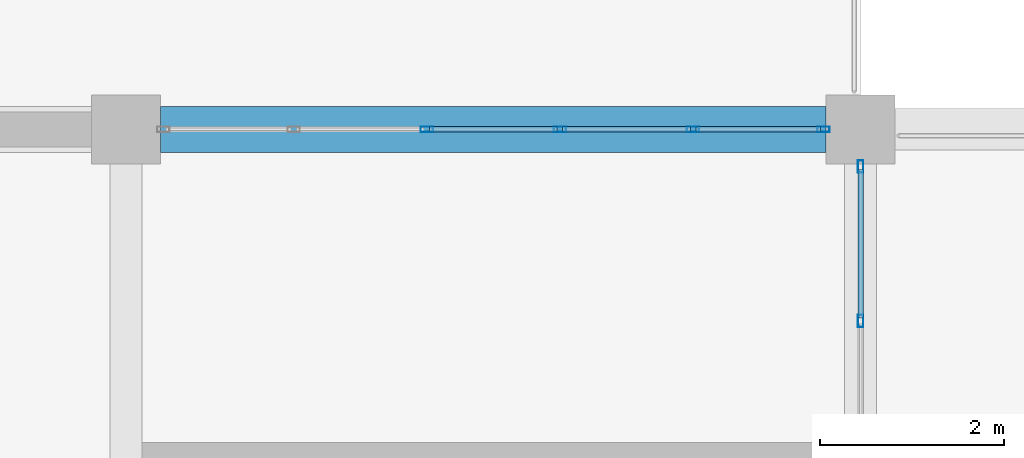
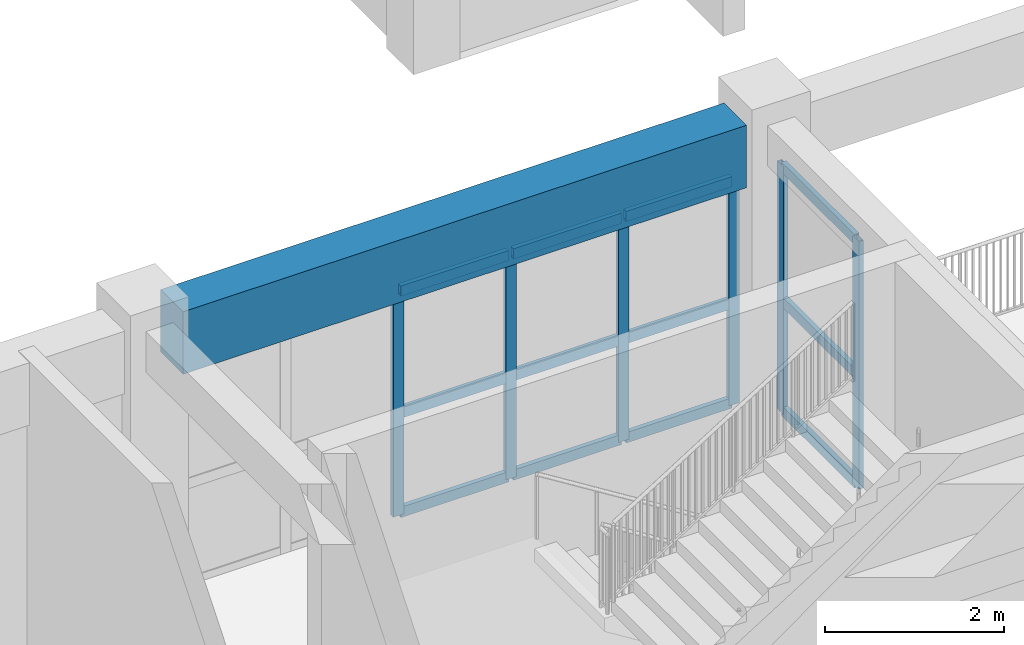
# One storey, part 29 of 63: 18 members, 1 beam, 2 elements without a shape of their own.
"""IFC4 building model written with IfcOpenShell, lengths in metres."""

from ifc_helpers import new_model, si_unit, direction, frame, origin, origin_2d, place, context, subcontext, project, spatial, rectangle, hollow_rectangle, extrude, material, material_profile, profile_set, type_object, element, aggregate, save


model = new_model("IFC4")

# Units and contexts
model_context = context("Model", 3, precision=1e-05, world=origin(), true_north=direction((0.0, 1.0)))
body_context = subcontext(model_context, "Body", "Model", "MODEL_VIEW")
ifc_project = project(units=[si_unit("LENGTHUNIT", "METRE"), si_unit("AREAUNIT", "SQUARE_METRE"), si_unit("VOLUMEUNIT", "CUBIC_METRE"), si_unit("PLANEANGLEUNIT", "RADIAN"), si_unit("MASSUNIT", "GRAM", prefix="KILO")], contexts=[model_context])

# Site, building, storey
site_placement = place(None, origin())
site = spatial("IfcSite", under=ifc_project, at=site_placement, CompositionType="ELEMENT")
building_placement = place(site_placement, origin())
building = spatial("IfcBuilding", under=site, at=building_placement, Name="Zantavel Square City Hall", CompositionType="ELEMENT")
storey_placement = place(building_placement, frame((0.0, 0.0, 14.699951171875)))
storey = spatial("IfcBuildingStorey", under=building, at=storey_placement, Name="L04", CompositionType="ELEMENT", Elevation=14.699951171875)

# Curtain wall, members
ifc_material_1 = material(Name="Anodised aluminium 6063-T6", Category="aluminium")
curtain_wall_type_1 = type_object("IfcCurtainWallType", Name="Curtain Wall TRV1 7250x3070", PredefinedType="USERDEFINED", material=ifc_material_1)
curtain_wall_1_placement = place(storey_placement, origin())
curtain_wall_1 = element("IfcCurtainWall", 1, at=curtain_wall_1_placement, inside=storey, type_object=curtain_wall_type_1, Name="L04 Glazed Curtain Wall CW-L04-110", ObjectType="GLAZED CURTAIN WALL", PredefinedType="USERDEFINED")
ifc_material_profile_1 = material_profile(ifc_material_1, hollow_rectangle(XDim=0.06005859375, YDim=0.135009765625, WallThickness=0.00390625, at=origin_2d()), Name="ALU 60x135x4")
ifc_profile_set_1 = profile_set([ifc_material_profile_1], Name="Anodised aluminium 6063-T6")
member_type_1 = type_object("IfcMemberType", Name="CW Mullion ALU 60x135x4", PredefinedType="MULLION", material=ifc_profile_set_1)
member_1_placement = place(storey_placement, frame((99.27490234375, 68.39990234375, 0.0), z_axis=(0.0, 0.0, 1.0), x_axis=(0.0, 1.0, 0.0)))
member_1 = element("IfcMember", 2, at=member_1_placement, type_object=member_type_1, Name="CW-110 mullion 3", PredefinedType="MULLION", context=body_context, shape_type="SweptSolid", body=[
    extrude(hollow_rectangle(XDim=0.06005859375, YDim=0.135009765625, WallThickness=0.00390625, at=origin_2d()), origin(), (0.0, 0.0, 1.0), 3.070068359375),
])
member_2_placement = place(storey_placement, frame((100.72509765625, 68.39990234375, 0.0), z_axis=(0.0, 0.0, 1.0), x_axis=(0.0, 1.0, 0.0)))
member_2 = element("IfcMember", 3, at=member_2_placement, type_object=member_type_1, Name="CW-110 mullion 4", PredefinedType="MULLION", context=body_context, shape_type="SweptSolid", body=[
    extrude(hollow_rectangle(XDim=0.06005859375, YDim=0.135009765625, WallThickness=0.00390625, at=origin_2d()), origin(), (0.0, 0.0, 1.0), 3.070068359375),
])
member_3_placement = place(storey_placement, frame((102.175048828125, 68.39990234375, 0.0), z_axis=(0.0, 0.0, 1.0), x_axis=(0.0, 1.0, 0.0)))
member_3 = element("IfcMember", 4, at=member_3_placement, type_object=member_type_1, Name="CW-110 mullion 5", PredefinedType="MULLION", context=body_context, shape_type="SweptSolid", body=[
    extrude(hollow_rectangle(XDim=0.06005859375, YDim=0.135009765625, WallThickness=0.00390625, at=origin_2d()), origin(), (0.0, 0.0, 1.0), 3.070068359375),
])
member_4_placement = place(storey_placement, frame((103.594970703125, 68.39990234375, 0.0), z_axis=(0.0, 0.0, 1.0), x_axis=(0.0, 1.0, 0.0)))
member_4 = element("IfcMember", 5, at=member_4_placement, type_object=member_type_1, Name="CW-110 mullion 6", PredefinedType="MULLION", context=body_context, shape_type="SweptSolid", body=[
    extrude(hollow_rectangle(XDim=0.06005859375, YDim=0.135009765625, WallThickness=0.00390625, at=origin_2d()), origin(), (0.0, 0.0, 1.0), 3.070068359375),
])

curtain_wall_type_2 = type_object("IfcCurtainWallType", Name="Curtain Wall TRV1 6850x3370", PredefinedType="USERDEFINED", material=ifc_material_1)
curtain_wall_2_placement = place(storey_placement, origin())
curtain_wall_2 = element("IfcCurtainWall", 6, at=curtain_wall_2_placement, inside=storey, type_object=curtain_wall_type_2, Name="L04 Glazed Curtain Wall CW-L04-111", ObjectType="GLAZED CURTAIN WALL", PredefinedType="USERDEFINED")
member_5_placement = place(storey_placement, frame((104.0, 67.9951171875, 0.0), z_axis=(0.0, 0.0, 1.0), x_axis=(1.0, 0.0, 0.0)))
member_5 = element("IfcMember", 7, at=member_5_placement, type_object=member_type_1, Name="CW-111 mullion 1", PredefinedType="MULLION", context=body_context, shape_type="SweptSolid", body=[
    extrude(hollow_rectangle(XDim=0.06005859375, YDim=0.135009765625, WallThickness=0.00390625, at=origin_2d()), origin(), (0.0, 0.0, 1.0), 3.3701171875),
])
member_6_placement = place(storey_placement, frame((104.0, 66.3125, 0.0), z_axis=(0.0, 0.0, 1.0), x_axis=(1.0, 0.0, 0.0)))
member_6 = element("IfcMember", 8, at=member_6_placement, type_object=member_type_1, Name="CW-111 mullion 2", PredefinedType="MULLION", context=body_context, shape_type="SweptSolid", body=[
    extrude(hollow_rectangle(XDim=0.06005859375, YDim=0.135009765625, WallThickness=0.00390625, at=origin_2d()), origin(), (0.0, 0.0, 1.0), 3.3701171875),
])

# Member
ifc_material_profile_2 = material_profile(ifc_material_1, hollow_rectangle(XDim=0.06005859375, YDim=0.139892578125, WallThickness=0.00390625, at=origin_2d()), Name="ALU 60x140x4")
ifc_profile_set_2 = profile_set([ifc_material_profile_2], Name="Anodised aluminium 6063-T6")
member_type_2 = type_object("IfcMemberType", Name="CW Transom ALU 60x140x4", PredefinedType="USERDEFINED", material=ifc_profile_set_2)
member_7_placement = place(storey_placement, frame((99.304931640625, 68.39990234375, 0.030029296875), z_axis=(1.0, 0.0, 0.0), x_axis=(0.0, 1.0, 0.0)))
member_7 = element("IfcMember", 9, at=member_7_placement, type_object=member_type_2, Name="CW-110 transom 3.1", ObjectType="TRANSOM", PredefinedType="USERDEFINED", context=body_context, shape_type="SweptSolid", body=[
    extrude(hollow_rectangle(XDim=0.06005859375, YDim=0.139892578125, WallThickness=0.00390625, at=origin_2d()), origin(), (0.0, 0.0, 1.0), 1.39013671875),
])

member_8_placement = place(storey_placement, frame((99.304931640625, 68.39990234375, 1.381103515625), z_axis=(1.0, 0.0, 0.0), x_axis=(0.0, 1.0, 0.0)))
member_8 = element("IfcMember", 10, at=member_8_placement, type_object=member_type_2, Name="CW-110 transom 3.2", ObjectType="TRANSOM", PredefinedType="USERDEFINED", context=body_context, shape_type="SweptSolid", body=[
    extrude(hollow_rectangle(XDim=0.06005859375, YDim=0.139892578125, WallThickness=0.00390625, at=origin_2d()), origin(), (0.0, 0.0, 1.0), 1.39013671875),
])

member_9_placement = place(storey_placement, frame((99.304931640625, 68.39990234375, 3.0400390625), z_axis=(1.0, 0.0, 0.0), x_axis=(0.0, 1.0, 0.0)))
member_9 = element("IfcMember", 11, at=member_9_placement, type_object=member_type_2, Name="CW-110 transom 3.3", ObjectType="TRANSOM", PredefinedType="USERDEFINED", context=body_context, shape_type="SweptSolid", body=[
    extrude(hollow_rectangle(XDim=0.06005859375, YDim=0.139892578125, WallThickness=0.00390625, at=origin_2d()), origin(), (0.0, 0.0, 1.0), 1.39013671875),
])

member_10_placement = place(storey_placement, frame((100.7548828125, 68.39990234375, 0.030029296875), z_axis=(1.0, 0.0, 0.0), x_axis=(0.0, 1.0, 0.0)))
member_10 = element("IfcMember", 12, at=member_10_placement, type_object=member_type_2, Name="CW-110 transom 4.1", ObjectType="TRANSOM", PredefinedType="USERDEFINED", context=body_context, shape_type="SweptSolid", body=[
    extrude(hollow_rectangle(XDim=0.06005859375, YDim=0.139892578125, WallThickness=0.00390625, at=origin_2d()), origin(), (0.0, 0.0, 1.0), 1.39013671875),
])

member_11_placement = place(storey_placement, frame((100.7548828125, 68.39990234375, 1.381103515625), z_axis=(1.0, 0.0, 0.0), x_axis=(0.0, 1.0, 0.0)))
member_11 = element("IfcMember", 13, at=member_11_placement, type_object=member_type_2, Name="CW-110 transom 4.2", ObjectType="TRANSOM", PredefinedType="USERDEFINED", context=body_context, shape_type="SweptSolid", body=[
    extrude(hollow_rectangle(XDim=0.06005859375, YDim=0.139892578125, WallThickness=0.00390625, at=origin_2d()), origin(), (0.0, 0.0, 1.0), 1.39013671875),
])

member_12_placement = place(storey_placement, frame((100.7548828125, 68.39990234375, 3.0400390625), z_axis=(1.0, 0.0, 0.0), x_axis=(0.0, 1.0, 0.0)))
member_12 = element("IfcMember", 14, at=member_12_placement, type_object=member_type_2, Name="CW-110 transom 4.3", ObjectType="TRANSOM", PredefinedType="USERDEFINED", context=body_context, shape_type="SweptSolid", body=[
    extrude(hollow_rectangle(XDim=0.06005859375, YDim=0.139892578125, WallThickness=0.00390625, at=origin_2d()), origin(), (0.0, 0.0, 1.0), 1.39013671875),
])

member_13_placement = place(storey_placement, frame((102.205078125, 68.39990234375, 0.030029296875), z_axis=(1.0, 0.0, 0.0), x_axis=(0.0, 1.0, 0.0)))
member_13 = element("IfcMember", 15, at=member_13_placement, type_object=member_type_2, Name="CW-110 transom 5.1", ObjectType="TRANSOM", PredefinedType="USERDEFINED", context=body_context, shape_type="SweptSolid", body=[
    extrude(hollow_rectangle(XDim=0.06005859375, YDim=0.139892578125, WallThickness=0.00390625, at=origin_2d()), origin(), (0.0, 0.0, 1.0), 1.35986328125),
])

member_14_placement = place(storey_placement, frame((102.205078125, 68.39990234375, 1.381103515625), z_axis=(1.0, 0.0, 0.0), x_axis=(0.0, 1.0, 0.0)))
member_14 = element("IfcMember", 16, at=member_14_placement, type_object=member_type_2, Name="CW-110 transom 5.2", ObjectType="TRANSOM", PredefinedType="USERDEFINED", context=body_context, shape_type="SweptSolid", body=[
    extrude(hollow_rectangle(XDim=0.06005859375, YDim=0.139892578125, WallThickness=0.00390625, at=origin_2d()), origin(), (0.0, 0.0, 1.0), 1.35986328125),
])

member_15_placement = place(storey_placement, frame((102.205078125, 68.39990234375, 3.0400390625), z_axis=(1.0, 0.0, 0.0), x_axis=(0.0, 1.0, 0.0)))
member_15 = element("IfcMember", 17, at=member_15_placement, type_object=member_type_2, Name="CW-110 transom 5.3", ObjectType="TRANSOM", PredefinedType="USERDEFINED", context=body_context, shape_type="SweptSolid", body=[
    extrude(hollow_rectangle(XDim=0.06005859375, YDim=0.139892578125, WallThickness=0.00390625, at=origin_2d()), origin(), (0.0, 0.0, 1.0), 1.35986328125),
])

aggregate(curtain_wall_1, [member_1, member_2, member_3, member_4, member_7, member_8, member_9, member_10, member_11, member_12, member_13, member_14, member_15])

member_16_placement = place(storey_placement, frame((104.0, 67.965087890625, 0.030029296875), z_axis=(0.0, -1.0, 0.0), x_axis=(1.0, 0.0, 0.0)))
member_16 = element("IfcMember", 18, at=member_16_placement, type_object=member_type_2, Name="CW-111 transom 1.1", ObjectType="TRANSOM", PredefinedType="USERDEFINED", context=body_context, shape_type="SweptSolid", body=[
    extrude(hollow_rectangle(XDim=0.06005859375, YDim=0.139892578125, WallThickness=0.00390625, at=origin_2d()), origin(), (0.0, 0.0, 1.0), 1.62255859375),
])

member_17_placement = place(storey_placement, frame((104.0, 67.965087890625, 1.51708984375), z_axis=(0.0, -1.0, 0.0), x_axis=(1.0, 0.0, 0.0)))
member_17 = element("IfcMember", 19, at=member_17_placement, type_object=member_type_2, Name="CW-111 transom 1.2", ObjectType="TRANSOM", PredefinedType="USERDEFINED", context=body_context, shape_type="SweptSolid", body=[
    extrude(hollow_rectangle(XDim=0.06005859375, YDim=0.139892578125, WallThickness=0.00390625, at=origin_2d()), origin(), (0.0, 0.0, 1.0), 1.62255859375),
])

member_18_placement = place(storey_placement, frame((104.0, 67.965087890625, 3.340087890625), z_axis=(0.0, -1.0, 0.0), x_axis=(1.0, 0.0, 0.0)))
member_18 = element("IfcMember", 20, at=member_18_placement, type_object=member_type_2, Name="CW-111 transom 1.3", ObjectType="TRANSOM", PredefinedType="USERDEFINED", context=body_context, shape_type="SweptSolid", body=[
    extrude(hollow_rectangle(XDim=0.06005859375, YDim=0.139892578125, WallThickness=0.00390625, at=origin_2d()), origin(), (0.0, 0.0, 1.0), 1.62255859375),
])

aggregate(curtain_wall_2, [member_5, member_6, member_16, member_17, member_18])

# Beam
ifc_material_2 = material(Name="Concrete C40/50", Category="concrete")
ifc_material_profile_3 = material_profile(ifc_material_2, rectangle(XDim=0.5, YDim=0.85009765625, at=origin_2d()), Name="RC 500x850")
ifc_profile_set_3 = profile_set([ifc_material_profile_3], Name="Concrete C40/50")
beam_type = type_object("IfcBeamType", Name="Council Chamber Girder RC 500x850 C40/50", PredefinedType="BEAM", material=ifc_profile_set_3)
beam_placement = place(storey_placement, frame((96.375, 68.39990234375, 3.4951171875), z_axis=(1.0, 0.0, 0.0), x_axis=(0.0, 1.0, 0.0)))
element("IfcBeam", 21, at=beam_placement, inside=storey, type_object=beam_type, Name="L04 Girder BMX-L04-0960-0684", PredefinedType="BEAM", context=body_context, shape_type="SweptSolid", body=[
    extrude(rectangle(XDim=0.5, YDim=0.85009765625, at=origin_2d()), origin(), (0.0, 0.0, 1.0), 7.25),
])

save(model, "model.ifc")
